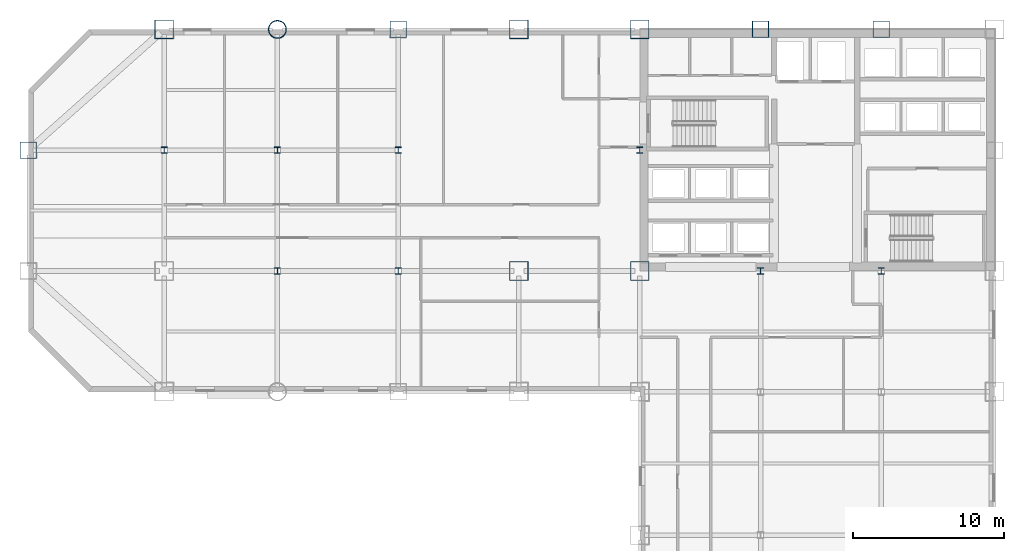
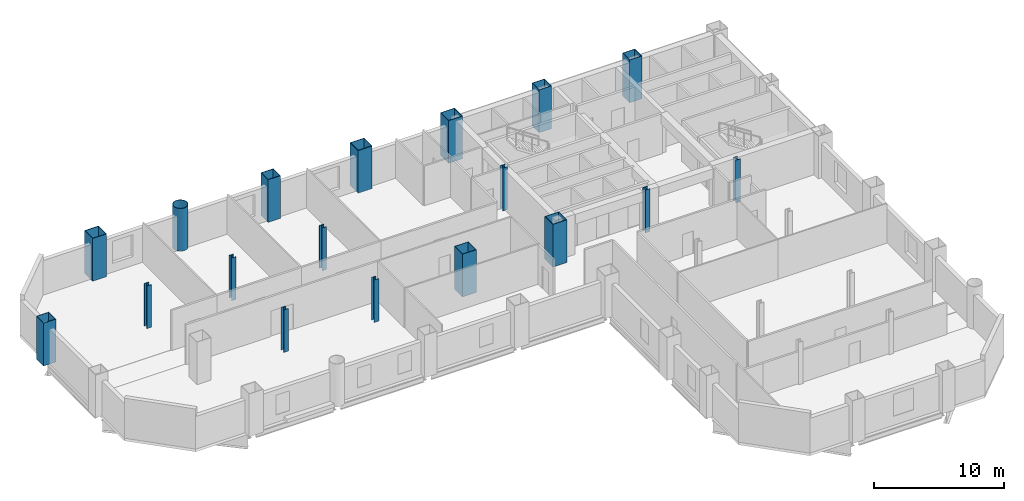
# One storey, part 2 of 9: 18 columns.
"""IFC4 building model written with IfcOpenShell, lengths in metres."""

import ifcopenshell
import ifcopenshell.guid

model = None  # the IFC model being written
_history = None  # IfcOwnerHistory: only IFC2X3 demands one
_inside = {}  # id of a spatial element -> (the spatial element, [elements in it])
_under = {}  # id of a project, library or spatial element -> (it, [spatial elements below it])
_declared = {}  # id of a project -> (the project, [libraries it declares])
_typed = {}  # id of a type object -> (the type object, [elements of that type])
_made_of = {}  # id of a material, layer set ... -> (it, [elements and type objects made of it])


def new_model(schema):
    """Start an empty IFC model of exactly this schema.

    Asked for "IFC4X3", IfcOpenShell would pick the latest addendum, in which some entities
    have other attributes; the version numbers below select the first issue.
    IFC2X3 requires an IfcOwnerHistory on every rooted entity: one is made here for all.
    """
    global model, _history
    if schema == "IFC4X3":
        model = ifcopenshell.file(schema_version=(4, 3, 0, 0))
    else:
        model = ifcopenshell.file(schema=schema)
    _inside.clear()
    _under.clear()
    _declared.clear()
    _typed.clear()
    _made_of.clear()
    _history = None
    if model.schema == "IFC2X3":
        org = make("IfcOrganization", Name="unknown")
        user = make(
            "IfcPersonAndOrganization",
            ThePerson=make("IfcPerson", FamilyName="unknown"),
            TheOrganization=org,
        )
        app = make(
            "IfcApplication",
            ApplicationDeveloper=org,
            Version="unknown",
            ApplicationFullName="unknown",
            ApplicationIdentifier="unknown",
        )
        _history = make(
            "IfcOwnerHistory",
            OwningUser=user,
            OwningApplication=app,
            ChangeAction="ADDED",
            CreationDate=0,
        )
    return model


def make(cls, **values):
    """One entity of the class cls with the attributes given. An attribute that is None is left unset."""
    return model.create_entity(
        cls, **{name: value for name, value in values.items() if value is not None}
    )


def rooted(cls, **values):
    """An entity with a GlobalId (a new one), such as an element, a storey or a relation."""
    return make(cls, GlobalId=ifcopenshell.guid.new(), OwnerHistory=_history, **values)


def si_unit(unit_type, name, prefix=None):
    """IfcSIUnit, for example si_unit("LENGTHUNIT", "METRE", prefix="MILLI")."""
    return make("IfcSIUnit", UnitType=unit_type, Prefix=prefix, Name=name)


def assignment(units):
    """IfcUnitAssignment: the units of a project."""
    return None if units is None else make("IfcUnitAssignment", Units=units)


def point(xyz):
    """IfcCartesianPoint."""
    return None if xyz is None else make("IfcCartesianPoint", Coordinates=xyz)


def direction(xyz):
    """IfcDirection."""
    return None if xyz is None else make("IfcDirection", DirectionRatios=xyz)


def frame(location, z_axis=None, x_axis=None):
    """IfcAxis2Placement3D, a coordinate frame: its origin and axes. An axis left out is left unset."""
    return make(
        "IfcAxis2Placement3D",
        Location=point(location),
        Axis=direction(z_axis),
        RefDirection=direction(x_axis),
    )


def frame_2d(location, x_axis=None):
    """IfcAxis2Placement2D, a coordinate frame in the plane: its origin and x axis."""
    return make(
        "IfcAxis2Placement2D", Location=point(location), RefDirection=direction(x_axis)
    )


def origin():
    """The frame at (0, 0, 0) with its axes left unset."""
    return frame((0.0, 0.0, 0.0))


def origin_2d():
    """The frame at (0, 0) in the plane with its x axis left unset."""
    return frame_2d((0.0, 0.0))


def place(relative_to, where):
    """IfcLocalPlacement: puts the frame where relative to a parent placement (None: the world)."""
    return make(
        "IfcLocalPlacement", PlacementRelTo=relative_to, RelativePlacement=where
    )


def context(
    kind, dimensions, precision=None, world=None, true_north=None, identifier=None
):
    """IfcGeometricRepresentationContext, for example the 3D "Model" context."""
    return make(
        "IfcGeometricRepresentationContext",
        ContextIdentifier=identifier,
        ContextType=kind,
        CoordinateSpaceDimension=dimensions,
        Precision=precision,
        WorldCoordinateSystem=world,
        TrueNorth=true_north,
    )


def subcontext(parent, identifier, kind, view, scale=None):
    """IfcGeometricRepresentationSubContext, for example "Body" below "Model"."""
    return make(
        "IfcGeometricRepresentationSubContext",
        ContextIdentifier=identifier,
        ContextType=kind,
        ParentContext=parent,
        TargetScale=scale,
        TargetView=view,
    )


def project(units=None, contexts=None):
    """IfcProject with its units and contexts."""
    return rooted(
        "IfcProject",
        Name="project",
        RepresentationContexts=contexts,
        UnitsInContext=assignment(units),
    )


def spatial(cls, under=None, at=None, **own):
    """A site, building, storey or space (cls), placed at a placement, below another one or the project."""
    s = rooted(cls, ObjectPlacement=at, **own)
    if under is not None:
        _under.setdefault(under.id(), (under, []))[1].append(s)
    return s


def profile(cls, at=None, kind="AREA", **sizes):
    """A parametric profile (cls). Its sizes go by their IFC names, for example OverallWidth=200.0."""
    return make(cls, ProfileType=kind, Position=at, **sizes)


def hollow_rectangle(**sizes):
    """IfcRectangleHollowProfileDef."""
    return profile("IfcRectangleHollowProfileDef", **sizes)


def hollow_circle(**sizes):
    """IfcCircleHollowProfileDef."""
    return profile("IfcCircleHollowProfileDef", **sizes)


def i_section(**sizes):
    """IfcIShapeProfileDef."""
    return profile("IfcIShapeProfileDef", **sizes)


def extrude(swept, where, along, depth):
    """IfcExtrudedAreaSolid: the profile swept, set in the frame where, extruded along a direction by depth."""
    return make(
        "IfcExtrudedAreaSolid",
        SweptArea=swept,
        Position=where,
        ExtrudedDirection=direction(along),
        Depth=depth,
    )


def shape(context_of_items, identifier, shape_type, items):
    """IfcShapeRepresentation: the items that make up one representation, for example the "Body"."""
    return make(
        "IfcShapeRepresentation",
        ContextOfItems=context_of_items,
        RepresentationIdentifier=identifier,
        RepresentationType=shape_type,
        Items=items,
    )


def material(Name=None, Category=None):
    """IfcMaterial."""
    return make("IfcMaterial", Name=Name, Category=Category)


def material_profile(
    of_material, cross_section, Name=None, Category=None, Priority=None
):
    """IfcMaterialProfile: a cross section and its material."""
    return make(
        "IfcMaterialProfile",
        Name=Name,
        Material=of_material,
        Profile=cross_section,
        Priority=Priority,
        Category=Category,
    )


def profile_set(profiles, Name=None, composite=None):
    """IfcMaterialProfileSet."""
    return make(
        "IfcMaterialProfileSet",
        Name=Name,
        MaterialProfiles=profiles,
        CompositeProfile=composite,
    )


def made_of(thing, what):
    """Note that an element or type object is made of a material, layer set ...; save() writes the relation."""
    if what is not None:
        _made_of.setdefault(what.id(), (what, []))[1].append(thing)
    return thing


def type_object(cls, material=None, **own):
    """A type object (cls), such as IfcWallType, which elements share."""
    return made_of(rooted(cls, **own), material)


def element(
    cls,
    number,
    at=None,
    inside=None,
    cuts=None,
    type_object=None,
    material=None,
    context=None,
    identifier="Body",
    shape_type=None,
    held_by="IfcProductDefinitionShape",
    body=None,
    shapes=None,
    **own,
):
    """One element of the class cls, such as IfcWall. Its Tag is "e" and its number.

    at: its placement. inside: the storey or other place that contains it. cuts: it is an
    opening in that element (IfcRelVoidsElement). A single representation is given by context,
    identifier, shape_type and body (its items); several are given by shapes. held_by: the class
    of the entity that holds the representations. save() writes the other relations.
    """
    e = rooted(cls, Tag="e%d" % number, ObjectPlacement=at, **own)
    if body is not None:
        shapes = [shape(context, identifier, shape_type, body)]
    if shapes is not None:
        e.Representation = make(held_by, Representations=shapes)
    if inside is not None:
        _inside.setdefault(inside.id(), (inside, []))[1].append(e)
    if cuts is not None:
        rooted(
            "IfcRelVoidsElement", RelatingBuildingElement=cuts, RelatedOpeningElement=e
        )
    if type_object is not None:
        _typed.setdefault(type_object.id(), (type_object, []))[1].append(e)
    return made_of(e, material)


def aggregate(whole, parts):
    """IfcRelAggregates: a whole, such as a stair, and the parts it consists of."""
    return rooted("IfcRelAggregates", RelatingObject=whole, RelatedObjects=parts)


def save(model, path):
    """Write the relations noted so far, then the file.

    IfcRelAggregates (storeys below a building ...), IfcRelContainedInSpatialStructure (elements
    in a storey), IfcRelDefinesByType, IfcRelAssociatesMaterial and IfcRelDeclares: one each for
    every whole, place, type object, material and project.
    """
    for whole, parts in _under.values():
        aggregate(whole, parts)
    for where, things in _inside.values():
        rooted(
            "IfcRelContainedInSpatialStructure",
            RelatedElements=things,
            RelatingStructure=where,
        )
    for kind, things in _typed.values():
        rooted("IfcRelDefinesByType", RelatedObjects=things, RelatingType=kind)
    for what, things in _made_of.values():
        rooted("IfcRelAssociatesMaterial", RelatedObjects=things, RelatingMaterial=what)
    for by, libraries in _declared.values():
        rooted("IfcRelDeclares", RelatingContext=by, RelatedDefinitions=libraries)
    model.write(path)


model = new_model("IFC4")

# Units and contexts
model_context = context("Model", 3, precision=1e-05, world=origin(), true_north=direction((0.0, 1.0)))
body_context = subcontext(model_context, "Body", "Model", "MODEL_VIEW")
ifc_project = project(units=[si_unit("LENGTHUNIT", "METRE"), si_unit("AREAUNIT", "SQUARE_METRE"), si_unit("VOLUMEUNIT", "CUBIC_METRE"), si_unit("PLANEANGLEUNIT", "RADIAN"), si_unit("MASSUNIT", "GRAM", prefix="KILO")], contexts=[model_context])

# Site, building, storey
site_placement = place(None, origin())
site = spatial("IfcSite", under=ifc_project, at=site_placement, CompositionType="ELEMENT")
building_placement = place(site_placement, origin())
building = spatial("IfcBuilding", under=site, at=building_placement, Name="Qianrong Seaharbour Tower", CompositionType="ELEMENT")
storey_placement = place(building_placement, frame((0.0, 0.0, 88.199951171875)))
storey = spatial("IfcBuildingStorey", under=building, at=storey_placement, Name="L21", CompositionType="ELEMENT", Elevation=88.199951171875)

# Columns
ifc_material = material(Name="Structural steel SN490B", Category="steel")
ifc_material_profile_1 = material_profile(ifc_material, hollow_rectangle(XDim=1.25, YDim=1.25, WallThickness=0.044921875, at=origin_2d()), Name="BOX1250x1250x45")
ifc_profile_set_1 = profile_set([ifc_material_profile_1], Name="Structural steel SN490B")
column_type_1 = type_object("IfcColumnType", Name="COL-CFT-1250", PredefinedType="COLUMN", material=ifc_profile_set_1)
for number, where, z_axis, x_axis, name in (
    (1, (9.0, 52.0, 0.0), (0.0, 0.0, 1.0), (1.0, 0.0, 0.0), "L21 Column MC-2 at G2/GH"),
    (2, (32.5, 36.0, 0.0), (0.0, 0.0, 1.0), (1.0, 0.0, 0.0), "L21 Column MC-2 at G5/GF"),
    (3, (32.5, 52.0, 0.0), (0.0, 0.0, 1.0), (1.0, 0.0, 0.0), "L21 Column MC-2 at G5/GH"),
    (4, (40.5, 36.0, 0.0), (0.0, 0.0, 1.0), (1.0, 0.0, 0.0), "L21 Column MC-2 at G6/GF"),
    (5, (40.5, 52.0, 0.0), (0.0, 0.0, 1.0), (1.0, 0.0, 0.0), "L21 Column MC-2 at G6/GH"),
):
    element("IfcColumn", number, at=place(storey_placement, frame(where, z_axis=z_axis, x_axis=x_axis)), inside=storey, type_object=column_type_1, Name=name, PredefinedType="COLUMN", context=body_context, shape_type="SweptSolid", body=[
        extrude(hollow_rectangle(XDim=1.25, YDim=1.25, WallThickness=0.044921875, at=origin_2d()), origin(), (0.0, 0.0, 1.0), 4.0),
    ])
ifc_material_profile_2 = material_profile(ifc_material, hollow_circle(Radius=0.60009765625, WallThickness=0.0400390625, at=origin_2d()), Name="CHS1200x40")
ifc_profile_set_2 = profile_set([ifc_material_profile_2], Name="Structural steel SN490B")
column_type_2 = type_object("IfcColumnType", Name="COL-CHS-1200", PredefinedType="COLUMN", material=ifc_profile_set_2)
column_placement = place(storey_placement, frame((16.5, 52.0, 0.0), z_axis=(0.0, 0.0, 1.0), x_axis=(1.0, 0.0, 0.0)))
element("IfcColumn", 6, at=column_placement, inside=storey, type_object=column_type_2, Name="L21 Column CC-1 at G3/GH", PredefinedType="COLUMN", context=body_context, shape_type="SweptSolid", body=[
    extrude(hollow_circle(Radius=0.60009765625, WallThickness=0.0400390625, at=origin_2d()), origin(), (0.0, 0.0, 1.0), 4.0),
])
ifc_material_profile_3 = material_profile(ifc_material, i_section(OverallWidth=0.406982421875, OverallDepth=0.427978515625, WebThickness=0.02001953125, FlangeThickness=0.034912109375, FilletRadius=0.02197265625, at=origin_2d()), Name="H428x407x20x35")
ifc_profile_set_3 = profile_set([ifc_material_profile_3], Name="Structural steel SN490B")
column_type_3 = type_object("IfcColumnType", Name="COL-INT-H428", PredefinedType="COLUMN", material=ifc_profile_set_3)
for number, where, z_axis, x_axis, name in (
    (7, (9.0, 44.0, 0.0), (0.0, 0.0, 1.0), (1.0, 0.0, 0.0), "L21 Column IC-2 at G2/GG"),
    (8, (16.5, 36.0, 0.0), (0.0, 0.0, 1.0), (1.0, 0.0, 0.0), "L21 Column IC-2 at G3/GF"),
    (9, (16.5, 44.0, 0.0), (0.0, 0.0, 1.0), (1.0, 0.0, 0.0), "L21 Column IC-2 at G3/GG"),
    (10, (24.5, 36.0, 0.0), (0.0, 0.0, 1.0), (1.0, 0.0, 0.0), "L21 Column IC-2 at G4/GF"),
    (11, (24.5, 44.0, 0.0), (0.0, 0.0, 1.0), (1.0, 0.0, 0.0), "L21 Column IC-2 at G4/GG"),
    (12, (40.5, 44.0, 0.0), (0.0, 0.0, 1.0), (1.0, 0.0, 0.0), "L21 Column IC-2 at G6/GG"),
    (13, (48.5, 36.0, 0.0), (0.0, 0.0, 1.0), (1.0, 0.0, 0.0), "L21 Column IC-2 at G7/GF"),
    (14, (56.5, 36.0, 0.0), (0.0, 0.0, 1.0), (1.0, 0.0, 0.0), "L21 Column IC-2 at G8/GF"),
):
    element("IfcColumn", number, at=place(storey_placement, frame(where, z_axis=z_axis, x_axis=x_axis)), inside=storey, type_object=column_type_3, Name=name, PredefinedType="COLUMN", context=body_context, shape_type="SweptSolid", body=[
        extrude(i_section(OverallWidth=0.406982421875, OverallDepth=0.427978515625, WebThickness=0.02001953125, FlangeThickness=0.034912109375, FilletRadius=0.02197265625, at=origin_2d()), origin(), (0.0, 0.0, 1.0), 4.0),
    ])
ifc_material_profile_4 = material_profile(ifc_material, hollow_rectangle(XDim=1.10009765625, YDim=1.10009765625, WallThickness=0.0400390625, at=origin_2d()), Name="BOX1100x1100x40")
ifc_profile_set_4 = profile_set([ifc_material_profile_4], Name="Structural steel SN490B")
column_type_4 = type_object("IfcColumnType", Name="COL-PER-1100", PredefinedType="COLUMN", material=ifc_profile_set_4)
for number, where, z_axis, x_axis, name in (
    (15, (0.0, 44.0, 0.0), (0.0, 0.0, 1.0), (1.0, 0.0, 0.0), "L21 Column PC-1 at G1/GG"),
    (16, (24.5, 52.0, 0.0), (0.0, 0.0, 1.0), (1.0, 0.0, 0.0), "L21 Column PC-1 at G4/GH"),
    (17, (48.5, 52.0, 0.0), (0.0, 0.0, 1.0), (1.0, 0.0, 0.0), "L21 Column PC-1 at G7/GH"),
    (18, (56.5, 52.0, 0.0), (0.0, 0.0, 1.0), (1.0, 0.0, 0.0), "L21 Column PC-1 at G8/GH"),
):
    element("IfcColumn", number, at=place(storey_placement, frame(where, z_axis=z_axis, x_axis=x_axis)), inside=storey, type_object=column_type_4, Name=name, PredefinedType="COLUMN", context=body_context, shape_type="SweptSolid", body=[
        extrude(hollow_rectangle(XDim=1.10009765625, YDim=1.10009765625, WallThickness=0.0400390625, at=origin_2d()), origin(), (0.0, 0.0, 1.0), 4.0),
    ])

save(model, "model.ifc")
